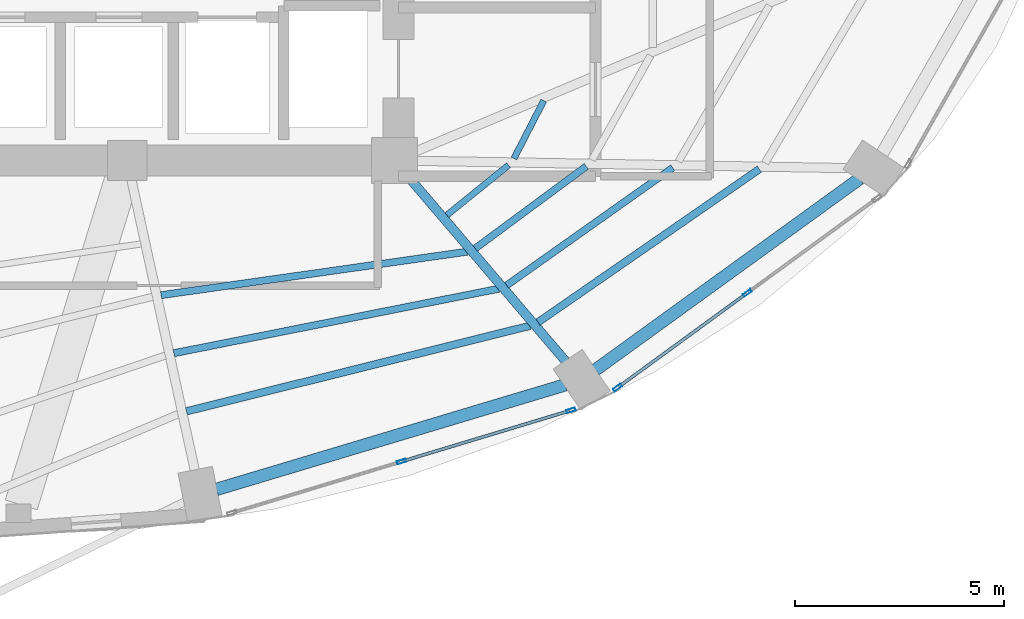
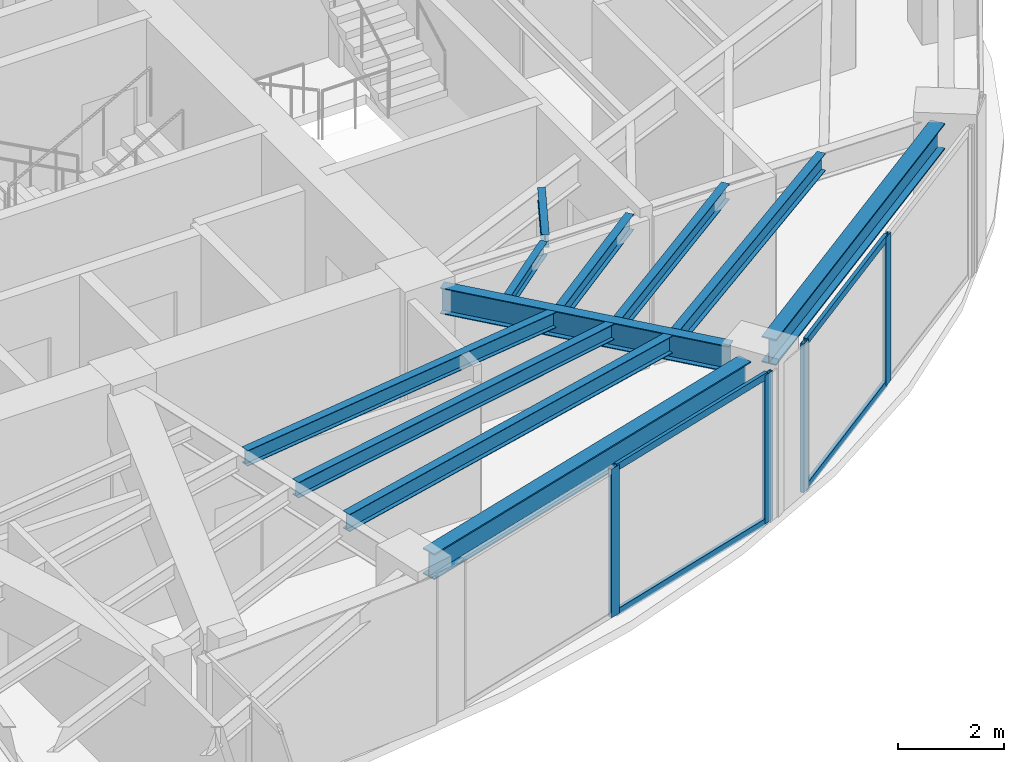
# One storey, part 10 of 24: 11 beams, 8 members, 2 elements without a shape of their own.
"""IFC4 building model written with IfcOpenShell, lengths in metres."""

from ifc_helpers import new_model, si_unit, direction, frame, origin, origin_2d, place, context, subcontext, project, spatial, hollow_rectangle, i_section, extrude, material, layer, layer_set, material_profile, profile_set, type_object, element, aggregate, save


model = new_model("IFC4")

# Units and contexts
model_context = context("Model", 3, precision=1e-05, world=origin(), true_north=direction((0.0, 1.0)))
body_context = subcontext(model_context, "Body", "Model", "MODEL_VIEW")
ifc_project = project(units=[si_unit("LENGTHUNIT", "METRE"), si_unit("AREAUNIT", "SQUARE_METRE"), si_unit("VOLUMEUNIT", "CUBIC_METRE"), si_unit("PLANEANGLEUNIT", "RADIAN"), si_unit("MASSUNIT", "GRAM", prefix="KILO")], contexts=[model_context])

# Site, building, storey
site_placement = place(None, origin())
site = spatial("IfcSite", under=ifc_project, at=site_placement, CompositionType="ELEMENT")
building_placement = place(site_placement, origin())
building = spatial("IfcBuilding", under=site, at=building_placement, Name="Lazwardi Medical Tower", CompositionType="ELEMENT")
storey_placement = place(building_placement, frame((0.0, 0.0, 99.98388671875)))
storey = spatial("IfcBuildingStorey", under=building, at=storey_placement, Name="L25", CompositionType="ELEMENT", Elevation=99.98388671875)

# Beams
ifc_material_1 = material(Name="Steel S355", Category="steel")
ifc_material_profile_1 = material_profile(ifc_material_1, i_section(OverallWidth=0.300048828125, OverallDepth=0.60009765625, WebThickness=0.015380859375, FlangeThickness=0.030029296875, at=origin_2d()), Name="HEB 600")
ifc_profile_set_1 = profile_set([ifc_material_profile_1], Name="Steel S355")
beam_type_1 = type_object("IfcBeamType", Name="BM-RB-Z2", PredefinedType="BEAM", material=ifc_profile_set_1)
beam_1_placement = place(storey_placement, frame((41.338134765625, 12.5205078125, 3.128173828125), z_axis=(0.957879438442, 0.287170648587, 0.0), x_axis=(-0.287170648587, 0.957879438442, 0.0)))
element("IfcBeam", 1, at=beam_1_placement, inside=storey, type_object=beam_type_1, Name="Ring beam RB-03 B01 L25", PredefinedType="BEAM", context=body_context, shape_type="SweptSolid", body=[
    extrude(i_section(OverallWidth=0.300048828125, OverallDepth=0.60009765625, WebThickness=0.015380859375, FlangeThickness=0.030029296875, at=origin_2d()), origin(), (0.0, 0.0, 1.0), 8.719970703125),
])
beam_2_placement = place(storey_placement, frame((50.415771484375, 15.3828125, 3.128173828125), z_axis=(0.810041907649, 0.586371987609, 0.0), x_axis=(-0.586371987609, 0.810041907649, 0.0)))
element("IfcBeam", 2, at=beam_2_placement, inside=storey, type_object=beam_type_1, Name="Ring beam RB-03 B02 L25", PredefinedType="BEAM", context=body_context, shape_type="SweptSolid", body=[
    extrude(i_section(OverallWidth=0.300048828125, OverallDepth=0.60009765625, WebThickness=0.015380859375, FlangeThickness=0.030029296875, at=origin_2d()), origin(), (0.0, 0.0, 1.0), 7.814208984375),
])
ifc_material_profile_2 = material_profile(ifc_material_1, i_section(OverallWidth=0.219970703125, OverallDepth=0.60009765625, WebThickness=0.011962890625, FlangeThickness=0.01904296875, at=origin_2d()), Name="IPE 600")
ifc_profile_set_2 = profile_set([ifc_material_profile_2], Name="Steel S355")
beam_type_2 = type_object("IfcBeamType", Name="BM-RG-W1", PredefinedType="BEAM", material=ifc_profile_set_2)
beam_3_placement = place(storey_placement, frame((49.707275390625, 15.583740234375, 3.128173828125), z_axis=(-0.648870567436, 0.760898801889, 0.0), x_axis=(-0.760898801889, -0.648870567436, 0.0)))
element("IfcBeam", 3, at=beam_3_placement, inside=storey, type_object=beam_type_2, Name="Radial girder RG-02 R02 L25", PredefinedType="BEAM", context=body_context, shape_type="SweptSolid", body=[
    extrude(i_section(OverallWidth=0.219970703125, OverallDepth=0.60009765625, WebThickness=0.011962890625, FlangeThickness=0.01904296875, at=origin_2d()), origin(), (0.0, 0.0, 1.0), 5.794677734375),
])
ifc_material_profile_3 = material_profile(ifc_material_1, i_section(OverallWidth=0.179931640625, OverallDepth=0.39990234375, WebThickness=0.008544921875, FlangeThickness=0.013427734375, at=origin_2d()), Name="IPE 400")
ifc_profile_set_3 = profile_set([ifc_material_profile_3], Name="Steel S355")
beam_type_3 = type_object("IfcBeamType", Name="BM-SJ-01", PredefinedType="JOIST", material=ifc_profile_set_3)
beam_4_placement = place(storey_placement, frame((40.618896484375, 14.390869140625, 3.22802734375), z_axis=(0.970400881943, 0.241499748081, 0.0), x_axis=(-0.241499748081, 0.970400881943, 0.0)))
element("IfcBeam", 4, at=beam_4_placement, inside=storey, type_object=beam_type_3, Name="Secondary joist SJ-01 R1 B01 L25", PredefinedType="JOIST", context=body_context, shape_type="SweptSolid", body=[
    extrude(i_section(OverallWidth=0.179931640625, OverallDepth=0.39990234375, WebThickness=0.008544921875, FlangeThickness=0.013427734375, at=origin_2d()), origin(), (0.0, 0.0, 1.0), 8.48583984375),
])
beam_5_placement = place(storey_placement, frame((49.04150390625, 16.525390625, 3.22802734375), z_axis=(0.822376339068, 0.568943896128, 0.0), x_axis=(-0.568943896128, 0.822376339068, 0.0)))
element("IfcBeam", 5, at=beam_5_placement, inside=storey, type_object=beam_type_3, Name="Secondary joist SJ-01 R1 B02 L25", PredefinedType="JOIST", context=body_context, shape_type="SweptSolid", body=[
    extrude(i_section(OverallWidth=0.179931640625, OverallDepth=0.39990234375, WebThickness=0.008544921875, FlangeThickness=0.013427734375, at=origin_2d()), origin(), (0.0, 0.0, 1.0), 6.44189453125),
])
ifc_material_profile_4 = material_profile(ifc_material_1, i_section(OverallWidth=0.169921875, OverallDepth=0.360107421875, WebThickness=0.008056640625, FlangeThickness=0.0126953125, at=origin_2d()), Name="IPE 360")
ifc_profile_set_4 = profile_set([ifc_material_profile_4], Name="Steel S355")
beam_type_4 = type_object("IfcBeamType", Name="BM-SJ-02", PredefinedType="JOIST", material=ifc_profile_set_4)
beam_6_placement = place(storey_placement, frame((40.315185546875, 15.7822265625, 3.248046875), z_axis=(0.980878853282, 0.194619308352, 0.0), x_axis=(-0.194619308352, 0.980878853282, 0.0)))
element("IfcBeam", 6, at=beam_6_placement, inside=storey, type_object=beam_type_4, Name="Secondary joist SJ-02 R2 B01 L25", PredefinedType="JOIST", context=body_context, shape_type="SweptSolid", body=[
    extrude(i_section(OverallWidth=0.169921875, OverallDepth=0.360107421875, WebThickness=0.008056640625, FlangeThickness=0.0126953125, at=origin_2d()), origin(), (0.0, 0.0, 1.0), 7.93701171875),
])
beam_7_placement = place(storey_placement, frame((48.2890625, 17.408203125, 3.248046875), z_axis=(0.816156371539, 0.577831097464, 0.0), x_axis=(-0.577831097464, 0.816156371539, 0.0)))
element("IfcBeam", 7, at=beam_7_placement, inside=storey, type_object=beam_type_4, Name="Secondary joist SJ-02 R2 B02 L25", PredefinedType="JOIST", context=body_context, shape_type="SweptSolid", body=[
    extrude(i_section(OverallWidth=0.169921875, OverallDepth=0.360107421875, WebThickness=0.008056640625, FlangeThickness=0.0126953125, at=origin_2d()), origin(), (0.0, 0.0, 1.0), 4.8740234375),
])
beam_8_placement = place(storey_placement, frame((40.011474609375, 17.1728515625, 3.248046875), z_axis=(0.990067108571, 0.140595592128, 0.0), x_axis=(-0.140595592128, 0.990067108571, 0.0)))
element("IfcBeam", 8, at=beam_8_placement, inside=storey, type_object=beam_type_4, Name="Secondary joist SJ-02 R3 B01 L25", PredefinedType="JOIST", context=body_context, shape_type="SweptSolid", body=[
    extrude(i_section(OverallWidth=0.169921875, OverallDepth=0.360107421875, WebThickness=0.008056640625, FlangeThickness=0.0126953125, at=origin_2d()), origin(), (0.0, 0.0, 1.0), 7.409423828125),
])
beam_9_placement = place(storey_placement, frame((47.53564453125, 18.291748046875, 3.248046875), z_axis=(0.804125525058, 0.594459536008, 0.0), x_axis=(-0.594459536008, 0.804125525058, 0.0)))
element("IfcBeam", 9, at=beam_9_placement, inside=storey, type_object=beam_type_4, Name="Secondary joist SJ-02 R3 B02 L25", PredefinedType="JOIST", context=body_context, shape_type="SweptSolid", body=[
    extrude(i_section(OverallWidth=0.169921875, OverallDepth=0.360107421875, WebThickness=0.008056640625, FlangeThickness=0.0126953125, at=origin_2d()), origin(), (0.0, 0.0, 1.0), 3.30810546875),
])
ifc_material_profile_5 = material_profile(ifc_material_1, i_section(OverallWidth=0.14990234375, OverallDepth=0.300048828125, WebThickness=0.007080078125, FlangeThickness=0.0107421875, at=origin_2d()), Name="IPE 300")
ifc_profile_set_5 = profile_set([ifc_material_profile_5], Name="Steel S355")
beam_type_5 = type_object("IfcBeamType", Name="BM-SJ-03", PredefinedType="JOIST", material=ifc_profile_set_5)
beam_10_placement = place(storey_placement, frame((46.85595703125, 19.089111328125, 3.278076171875), z_axis=(0.77695773322, 0.629552762515, 0.0), x_axis=(-0.629552762515, 0.77695773322, 0.0)))
element("IfcBeam", 10, at=beam_10_placement, inside=storey, type_object=beam_type_5, Name="Secondary joist SJ-03 R4 B02 L25", PredefinedType="JOIST", context=body_context, shape_type="SweptSolid", body=[
    extrude(i_section(OverallWidth=0.14990234375, OverallDepth=0.300048828125, WebThickness=0.007080078125, FlangeThickness=0.0107421875, at=origin_2d()), origin(), (0.0, 0.0, 1.0), 1.9013671875),
])
beam_11_placement = place(storey_placement, frame((48.462890625, 20.445556640625, 3.278076171875), z_axis=(0.457956589674, 0.888974556427, 0.0), x_axis=(-0.888974556427, 0.457956589674, 0.0)))
element("IfcBeam", 11, at=beam_11_placement, inside=storey, type_object=beam_type_5, Name="Secondary joist SJ-03 R4 B03 L25", PredefinedType="JOIST", context=body_context, shape_type="SweptSolid", body=[
    extrude(i_section(OverallWidth=0.14990234375, OverallDepth=0.300048828125, WebThickness=0.007080078125, FlangeThickness=0.0107421875, at=origin_2d()), origin(), (0.0, 0.0, 1.0), 1.558837890625),
])

# Curtain wall, members
ifc_material_2 = material(Name="Anodised bronze aluminium and solar control glazing", Category="aluminium")
ifc_layer = layer(ifc_material_2, 0.195068359375)
ifc_layer_set = layer_set([ifc_layer], Name="Anodised bronze aluminium and solar control glazing")
curtain_wall_type = type_object("IfcCurtainWallType", Name="CW-SYS-03", PredefinedType="NOTDEFINED", material=ifc_layer_set)
curtain_wall_1_placement = place(storey_placement, origin())
curtain_wall_1 = element("IfcCurtainWall", 12, at=curtain_wall_1_placement, inside=storey, type_object=curtain_wall_type, Name="L25 Unitised bronze curtain wall CW-03", PredefinedType="NOTDEFINED")
ifc_material_3 = material(Name="Anodised bronze aluminium", Category="aluminium")
ifc_material_profile_6 = material_profile(ifc_material_3, hollow_rectangle(XDim=0.074951171875, YDim=0.219970703125, WallThickness=0.00390625, at=origin_2d()), Name="ALU-MULLION 220x75x4")
ifc_profile_set_6 = profile_set([ifc_material_profile_6], Name="Anodised bronze aluminium")
member_type_1 = type_object("IfcMemberType", Name="CW-MUL-01", PredefinedType="MULLION", material=ifc_profile_set_6)
member_1_placement = place(storey_placement, frame((45.769287109375, 13.18701171875, 0.0), z_axis=(0.0, 0.0, 1.0), x_axis=(-0.28937381157, 0.957216170558, 0.0)))
member_1 = element("IfcMember", 13, at=member_1_placement, type_object=member_type_1, Name="CW-03 mullion 2", PredefinedType="MULLION", context=body_context, shape_type="SweptSolid", body=[
    extrude(hollow_rectangle(XDim=0.074951171875, YDim=0.219970703125, WallThickness=0.00390625, at=origin_2d()), origin(), (0.0, 0.0, 1.0), 3.42822265625),
])
member_2_placement = place(storey_placement, frame((49.828369140625, 14.4140625, 0.0), z_axis=(0.0, 0.0, 1.0), x_axis=(-0.28937381157, 0.957216170558, 0.0)))
member_2 = element("IfcMember", 14, at=member_2_placement, type_object=member_type_1, Name="CW-03 mullion 3", PredefinedType="MULLION", context=body_context, shape_type="SweptSolid", body=[
    extrude(hollow_rectangle(XDim=0.074951171875, YDim=0.219970703125, WallThickness=0.00390625, at=origin_2d()), origin(), (0.0, 0.0, 1.0), 3.42822265625),
])

curtain_wall_2_placement = place(storey_placement, origin())
curtain_wall_2 = element("IfcCurtainWall", 15, at=curtain_wall_2_placement, inside=storey, type_object=curtain_wall_type, Name="L25 Unitised bronze curtain wall CW-03", PredefinedType="NOTDEFINED")
member_3_placement = place(storey_placement, frame((50.947265625, 14.96044921875, 0.0), z_axis=(0.0, 0.0, 1.0), x_axis=(-0.589530882802, 0.807745837639, 0.0)))
member_3 = element("IfcMember", 16, at=member_3_placement, type_object=member_type_1, Name="CW-03 mullion 1", PredefinedType="MULLION", context=body_context, shape_type="SweptSolid", body=[
    extrude(hollow_rectangle(XDim=0.074951171875, YDim=0.219970703125, WallThickness=0.00390625, at=origin_2d()), origin(), (0.0, 0.0, 1.0), 3.42822265625),
])
member_4_placement = place(storey_placement, frame((54.051025390625, 17.225830078125, 0.0), z_axis=(0.0, 0.0, 1.0), x_axis=(-0.589530882802, 0.807745837639, 0.0)))
member_4 = element("IfcMember", 17, at=member_4_placement, type_object=member_type_1, Name="CW-03 mullion 2", PredefinedType="MULLION", context=body_context, shape_type="SweptSolid", body=[
    extrude(hollow_rectangle(XDim=0.074951171875, YDim=0.219970703125, WallThickness=0.00390625, at=origin_2d()), origin(), (0.0, 0.0, 1.0), 3.42822265625),
])

# Member
ifc_material_profile_7 = material_profile(ifc_material_3, hollow_rectangle(XDim=0.074951171875, YDim=0.159912109375, WallThickness=0.00390625, at=origin_2d()), Name="ALU-TRANSOM 160x75x4")
ifc_profile_set_7 = profile_set([ifc_material_profile_7], Name="Anodised bronze aluminium")
member_type_2 = type_object("IfcMemberType", Name="CW-TRN-01", PredefinedType="USERDEFINED", material=ifc_profile_set_7)
member_5_placement = place(storey_placement, frame((45.80517578125, 13.19775390625, 0.03759765625), z_axis=(0.957220865985, 0.289358279168, 0.0), x_axis=(-0.289358279168, 0.957220865985, 0.0)))
member_5 = element("IfcMember", 18, at=member_5_placement, type_object=member_type_2, Name="CW-03 transom 2.1", ObjectType="TRANSOM", PredefinedType="USERDEFINED", context=body_context, shape_type="SweptSolid", body=[
    extrude(hollow_rectangle(XDim=0.074951171875, YDim=0.159912109375, WallThickness=0.00390625, at=origin_2d()), origin(), (0.0, 0.0, 1.0), 4.16552734375),
])

member_6_placement = place(storey_placement, frame((45.80517578125, 13.19775390625, 3.390625), z_axis=(0.957220865985, 0.289358279168, 0.0), x_axis=(-0.289358279168, 0.957220865985, 0.0)))
member_6 = element("IfcMember", 19, at=member_6_placement, type_object=member_type_2, Name="CW-03 transom 2.2", ObjectType="TRANSOM", PredefinedType="USERDEFINED", context=body_context, shape_type="SweptSolid", body=[
    extrude(hollow_rectangle(XDim=0.074951171875, YDim=0.159912109375, WallThickness=0.00390625, at=origin_2d()), origin(), (0.0, 0.0, 1.0), 4.16552734375),
])

aggregate(curtain_wall_1, [member_1, member_2, member_5, member_6])

member_7_placement = place(storey_placement, frame((50.9775390625, 14.982421875, 0.03759765625), z_axis=(0.807731734271, 0.589550206049, 0.0), x_axis=(-0.589550206049, 0.807731734271, 0.0)))
member_7 = element("IfcMember", 20, at=member_7_placement, type_object=member_type_2, Name="CW-03 transom 1.1", ObjectType="TRANSOM", PredefinedType="USERDEFINED", context=body_context, shape_type="SweptSolid", body=[
    extrude(hollow_rectangle(XDim=0.074951171875, YDim=0.159912109375, WallThickness=0.00390625, at=origin_2d()), origin(), (0.0, 0.0, 1.0), 3.767578125),
])

member_8_placement = place(storey_placement, frame((50.9775390625, 14.982421875, 3.390625), z_axis=(0.807731734271, 0.589550206049, 0.0), x_axis=(-0.589550206049, 0.807731734271, 0.0)))
member_8 = element("IfcMember", 21, at=member_8_placement, type_object=member_type_2, Name="CW-03 transom 1.2", ObjectType="TRANSOM", PredefinedType="USERDEFINED", context=body_context, shape_type="SweptSolid", body=[
    extrude(hollow_rectangle(XDim=0.074951171875, YDim=0.159912109375, WallThickness=0.00390625, at=origin_2d()), origin(), (0.0, 0.0, 1.0), 3.767578125),
])

aggregate(curtain_wall_2, [member_3, member_4, member_7, member_8])

save(model, "model.ifc")
